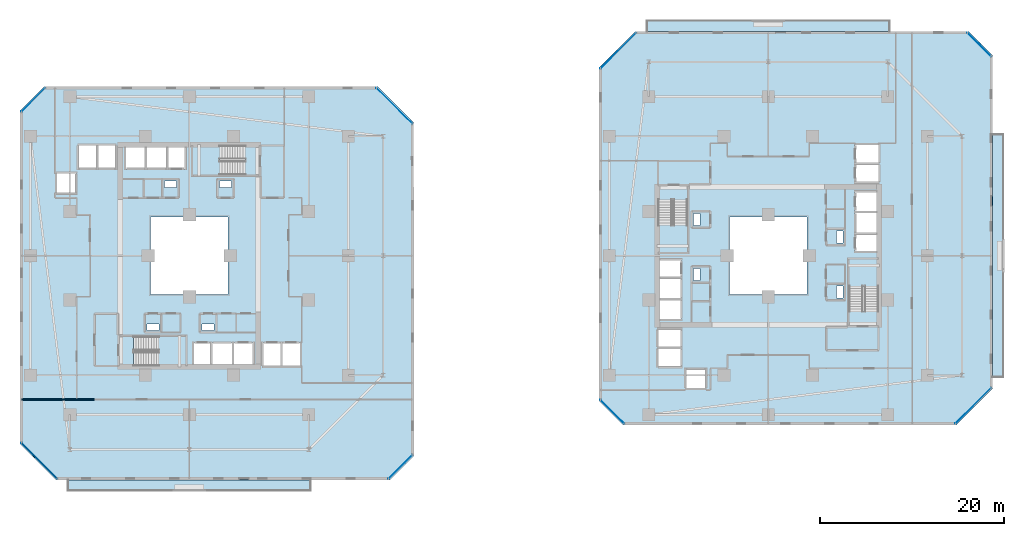
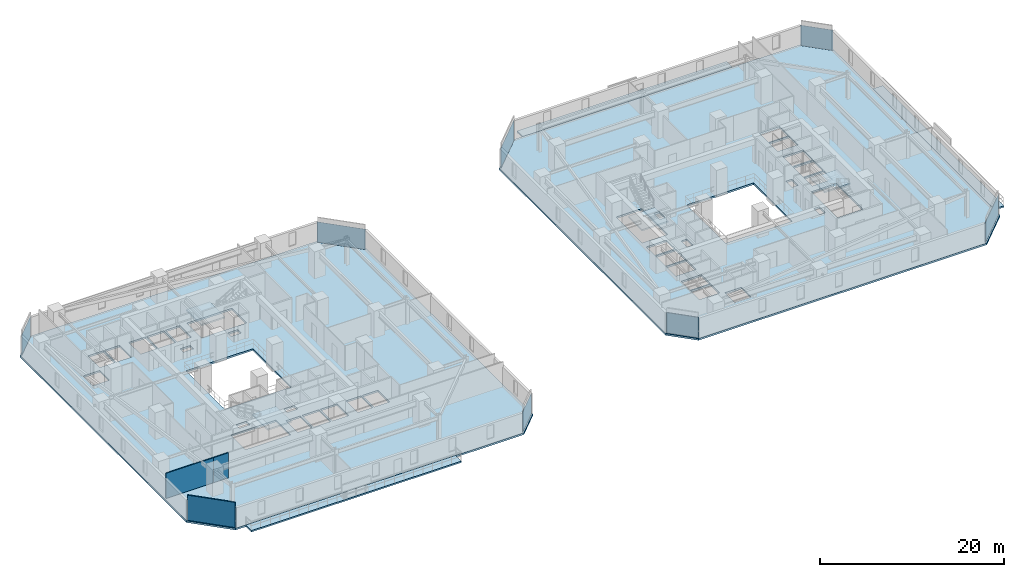
# One storey, part 19 of 34: 9 slabs, 8 plates, 3 walls, 12 elements without a shape of their own.
"""IFC4 building model written with IfcOpenShell, lengths in metres."""

from ifc_helpers import new_model, si_unit, direction, frame, frame_2d, origin, origin_2d, place, context, subcontext, project, spatial, polyline, rectangle, outline, extrude, material, layer, layer_set, type_object, element, aggregate, save


model = new_model("IFC4")

# Units and contexts
model_context = context("Model", 3, precision=1e-05, world=origin(), true_north=direction((0.0, 1.0)))
body_context = subcontext(model_context, "Body", "Model", "MODEL_VIEW")
ifc_project = project(units=[si_unit("LENGTHUNIT", "METRE"), si_unit("AREAUNIT", "SQUARE_METRE"), si_unit("VOLUMEUNIT", "CUBIC_METRE"), si_unit("PLANEANGLEUNIT", "RADIAN"), si_unit("MASSUNIT", "GRAM", prefix="KILO")], contexts=[model_context])

# Site, building, storey
site_placement = place(None, origin())
site = spatial("IfcSite", under=ifc_project, at=site_placement, CompositionType="ELEMENT")
building_placement = place(site_placement, origin())
building = spatial("IfcBuilding", under=site, at=building_placement, Name="Thornwick Lancets Civic Towers", CompositionType="ELEMENT")
storey_placement = place(building_placement, frame((0.0, 0.0, 53.699951171875)))
storey = spatial("IfcBuildingStorey", under=building, at=storey_placement, Name="L13", CompositionType="ELEMENT", Elevation=53.699951171875)

# Curtain wall, plate
ifc_material_1 = material(Name="Low-zone chamfered-corner unitised glass curtain wall", Category="glass")
curtain_wall_type = type_object("IfcCurtainWallType", Name="CW_SYS_03", PredefinedType="NOTDEFINED", material=ifc_material_1)
curtain_wall_1_placement = place(storey_placement, origin())
curtain_wall_1 = element("IfcCurtainWall", 1, at=curtain_wall_1_placement, inside=storey, type_object=curtain_wall_type, Name="L13 Curtain Wall CW-L13-A-E1", PredefinedType="NOTDEFINED")
ifc_material_2 = material(Name="Low-e double glazing clear glass", Category="glass")
ifc_layer_1 = layer(ifc_material_2, 0.035888671875, Name="Low-e double glazing clear glass")
ifc_layer_set_1 = layer_set([ifc_layer_1], Name="Low-e double glazing clear glass")
plate_type = type_object("IfcPlateType", Name="CW_PNL_GLASS", PredefinedType="CURTAIN_PANEL", material=ifc_layer_set_1)
plate_1_placement = place(storey_placement, frame((48.472900390625, 4.027099609375, 0.0), z_axis=(0.0, 0.0, 1.0), x_axis=(0.707106781187, 0.707106781187, 0.0)))
plate_1 = element("IfcPlate", 2, at=plate_1_placement, type_object=plate_type, Name="CW-L13-A-E1 Panel 0", PredefinedType="CURTAIN_PANEL", context=body_context, shape_type="SweptSolid", body=[
    extrude(rectangle(XDim=3.64990234375, YDim=0.035888671875, at=origin_2d()), origin(), (0.0, 0.0, 1.0), 2.699951171875),
])
aggregate(curtain_wall_1, [plate_1])

curtain_wall_2_placement = place(storey_placement, origin())
curtain_wall_2 = element("IfcCurtainWall", 3, at=curtain_wall_2_placement, inside=storey, type_object=curtain_wall_type, Name="L13 Curtain Wall CW-L13-A-E3", PredefinedType="NOTDEFINED")
plate_2_placement = place(storey_placement, frame((47.81884765625, 43.31884765625, 0.0), z_axis=(0.0, 0.0, 1.0), x_axis=(-0.707106781187, 0.707106781187, 0.0)))
plate_2 = element("IfcPlate", 4, at=plate_2_placement, type_object=plate_type, Name="CW-L13-A-E3 Panel 0", PredefinedType="CURTAIN_PANEL", context=body_context, shape_type="SweptSolid", body=[
    extrude(rectangle(XDim=5.488037109375, YDim=0.035888671875, at=origin_2d()), origin(), (0.0, 0.0, 1.0), 2.699951171875),
])
aggregate(curtain_wall_2, [plate_2])

curtain_wall_3_placement = place(storey_placement, origin())
curtain_wall_3 = element("IfcCurtainWall", 5, at=curtain_wall_3_placement, inside=storey, type_object=curtain_wall_type, Name="L13 Curtain Wall CW-L13-A-E5", PredefinedType="NOTDEFINED")
plate_3_placement = place(storey_placement, frame((8.527099609375, 43.972900390625, 0.0), z_axis=(0.0, 0.0, 1.0), x_axis=(-0.707106781187, -0.707106781187, 0.0)))
plate_3 = element("IfcPlate", 6, at=plate_3_placement, type_object=plate_type, Name="CW-L13-A-E5 Panel 0", PredefinedType="CURTAIN_PANEL", context=body_context, shape_type="SweptSolid", body=[
    extrude(rectangle(XDim=3.64990234375, YDim=0.035888671875, at=origin_2d()), origin(), (0.0, 0.0, 1.0), 2.699951171875),
])
aggregate(curtain_wall_3, [plate_3])

curtain_wall_4_placement = place(storey_placement, origin())
curtain_wall_4 = element("IfcCurtainWall", 7, at=curtain_wall_4_placement, inside=storey, type_object=curtain_wall_type, Name="L13 Curtain Wall CW-L13-A-E7", PredefinedType="NOTDEFINED")
plate_4_placement = place(storey_placement, frame((9.18115234375, 4.68115234375, 0.0), z_axis=(0.0, 0.0, 1.0), x_axis=(0.707106781187, -0.707106781187, 0.0)))
plate_4 = element("IfcPlate", 8, at=plate_4_placement, type_object=plate_type, Name="CW-L13-A-E7 Panel 0", PredefinedType="CURTAIN_PANEL", context=body_context, shape_type="SweptSolid", body=[
    extrude(rectangle(XDim=5.488037109375, YDim=0.035888671875, at=origin_2d()), origin(), (0.0, 0.0, 1.0), 2.699951171875),
])
aggregate(curtain_wall_4, [plate_4])

curtain_wall_5_placement = place(storey_placement, origin())
curtain_wall_5 = element("IfcCurtainWall", 9, at=curtain_wall_5_placement, inside=storey, type_object=curtain_wall_type, Name="L13 Curtain Wall CW-L13-B-E1", PredefinedType="NOTDEFINED")
plate_5_placement = place(storey_placement, frame((110.81884765625, 10.68115234375, 0.0), z_axis=(0.0, 0.0, 1.0), x_axis=(0.707106781187, 0.707106781187, 0.0)))
plate_5 = element("IfcPlate", 10, at=plate_5_placement, type_object=plate_type, Name="CW-L13-B-E1 Panel 0", PredefinedType="CURTAIN_PANEL", context=body_context, shape_type="SweptSolid", body=[
    extrude(rectangle(XDim=5.488037109375, YDim=0.035888671875, at=origin_2d()), origin(), (0.0, 0.0, 1.0), 2.699951171875),
])
aggregate(curtain_wall_5, [plate_5])

curtain_wall_6_placement = place(storey_placement, origin())
curtain_wall_6 = element("IfcCurtainWall", 11, at=curtain_wall_6_placement, inside=storey, type_object=curtain_wall_type, Name="L13 Curtain Wall CW-L13-B-E3", PredefinedType="NOTDEFINED")
plate_6_placement = place(storey_placement, frame((111.472900390625, 49.972900390625, 0.0), z_axis=(0.0, 0.0, 1.0), x_axis=(-0.707106781187, 0.707106781187, 0.0)))
plate_6 = element("IfcPlate", 12, at=plate_6_placement, type_object=plate_type, Name="CW-L13-B-E3 Panel 0", PredefinedType="CURTAIN_PANEL", context=body_context, shape_type="SweptSolid", body=[
    extrude(rectangle(XDim=3.64990234375, YDim=0.035888671875, at=origin_2d()), origin(), (0.0, 0.0, 1.0), 2.699951171875),
])
aggregate(curtain_wall_6, [plate_6])

curtain_wall_7_placement = place(storey_placement, origin())
curtain_wall_7 = element("IfcCurtainWall", 13, at=curtain_wall_7_placement, inside=storey, type_object=curtain_wall_type, Name="L13 Curtain Wall CW-L13-B-E5", PredefinedType="NOTDEFINED")
plate_7_placement = place(storey_placement, frame((72.18115234375, 49.31884765625, 0.0), z_axis=(0.0, 0.0, 1.0), x_axis=(-0.707106781187, -0.707106781187, 0.0)))
plate_7 = element("IfcPlate", 14, at=plate_7_placement, type_object=plate_type, Name="CW-L13-B-E5 Panel 0", PredefinedType="CURTAIN_PANEL", context=body_context, shape_type="SweptSolid", body=[
    extrude(rectangle(XDim=5.488037109375, YDim=0.035888671875, at=origin_2d()), origin(), (0.0, 0.0, 1.0), 2.699951171875),
])
aggregate(curtain_wall_7, [plate_7])

curtain_wall_8_placement = place(storey_placement, origin())
curtain_wall_8 = element("IfcCurtainWall", 15, at=curtain_wall_8_placement, inside=storey, type_object=curtain_wall_type, Name="L13 Curtain Wall CW-L13-B-E7", PredefinedType="NOTDEFINED")
plate_8_placement = place(storey_placement, frame((71.527099609375, 10.027099609375, 0.0), z_axis=(0.0, 0.0, 1.0), x_axis=(0.707106781187, -0.707106781187, 0.0)))
plate_8 = element("IfcPlate", 16, at=plate_8_placement, type_object=plate_type, Name="CW-L13-B-E7 Panel 0", PredefinedType="CURTAIN_PANEL", context=body_context, shape_type="SweptSolid", body=[
    extrude(rectangle(XDim=3.64990234375, YDim=0.035888671875, at=origin_2d()), origin(), (0.0, 0.0, 1.0), 2.699951171875),
])
aggregate(curtain_wall_8, [plate_8])

# Slabs
ifc_material_3 = material(Name="Post-tensioned concrete C40/50", Category="concrete")
ifc_layer_2 = layer(ifc_material_3, 0.199951171875, Name="Post-tensioned concrete C40/50")
ifc_layer_set_2 = layer_set([ifc_layer_2], Name="Post-tensioned concrete C40/50")
slab_type_1 = type_object("IfcSlabType", Name="SLAB_BALCONY_200", PredefinedType="FLOOR", material=ifc_layer_set_2)
slab_1_placement = place(storey_placement, frame((0.0, 0.0, -0.199951171875)))
element("IfcSlab", 17, at=slab_1_placement, inside=storey, type_object=slab_type_1, Name="L13 Tower A Planted Balcony Slab S", PredefinedType="FLOOR", context=body_context, shape_type="SweptSolid", body=[
    extrude(outline(polyline([(12.300048828125, 1.35009765625), (38.699951171875, 1.35009765625), (38.699951171875, 2.60009765625), (12.300048828125, 2.60009765625), (12.300048828125, 1.35009765625)])), origin(), (0.0, 0.0, 1.0), 0.199951171875),
])
slab_2_placement = place(storey_placement, frame((0.0, 0.0, -0.199951171875)))
element("IfcSlab", 18, at=slab_2_placement, inside=storey, type_object=slab_type_1, Name="L13 Tower B Planted Balcony Slab E", PredefinedType="FLOOR", context=body_context, shape_type="SweptSolid", body=[
    extrude(outline(polyline([(112.89990234375, 13.800048828125), (114.14990234375, 13.800048828125), (114.14990234375, 40.199951171875), (112.89990234375, 40.199951171875), (112.89990234375, 13.800048828125)])), origin(), (0.0, 0.0, 1.0), 0.199951171875),
])
slab_3_placement = place(storey_placement, frame((0.0, 0.0, -0.199951171875)))
element("IfcSlab", 19, at=slab_3_placement, inside=storey, type_object=slab_type_1, Name="L13 Tower B Planted Balcony Slab N", PredefinedType="FLOOR", context=body_context, shape_type="SweptSolid", body=[
    extrude(outline(polyline([(75.300048828125, 51.39990234375), (101.699951171875, 51.39990234375), (101.699951171875, 52.64990234375), (75.300048828125, 52.64990234375), (75.300048828125, 51.39990234375)])), origin(), (0.0, 0.0, 1.0), 0.199951171875),
])

# Stair, slab
ifc_material_4 = material(Name="Concrete C40/50", Category="concrete")
stair_type = type_object("IfcStairType", Name="STAIR_DL_3600", PredefinedType="HALF_TURN_STAIR", material=ifc_material_4)
stair_1_placement = place(storey_placement, origin())
stair_1 = element("IfcStair", 20, at=stair_1_placement, inside=storey, type_object=stair_type, Name="L13 Tower A South Exit Stair ST-A1", PredefinedType="HALF_TURN_STAIR")
ifc_layer_3 = layer(ifc_material_4, 0.25, Name="Concrete C40/50")
ifc_layer_set_3 = layer_set([ifc_layer_3], Name="Concrete C40/50")
slab_type_2 = type_object("IfcSlabType", Name="SLAB_LANDING_200", PredefinedType="LANDING", material=ifc_layer_set_3)
slab_4_placement = place(storey_placement, frame((0.0, 0.0, 1.60302734375)))
slab_4 = element("IfcSlab", 21, at=slab_4_placement, type_object=slab_type_2, Name="ST-A1 landing 1", PredefinedType="LANDING", context=body_context, shape_type="SweptSolid", body=[
    extrude(outline(polyline([(22.169921875, 14.93994140625), (25.14990234375, 14.93994140625), (25.14990234375, 18.260009765625), (22.169921875, 18.260009765625), (22.169921875, 14.93994140625)])), origin(), (0.0, 0.0, 1.0), 0.199951171875),
])
aggregate(stair_1, [slab_4])

stair_2_placement = place(storey_placement, origin())
stair_2 = element("IfcStair", 22, at=stair_2_placement, inside=storey, type_object=stair_type, Name="L13 Tower A North Exit Stair ST-A2", PredefinedType="HALF_TURN_STAIR")
slab_5_placement = place(storey_placement, frame((0.0, 0.0, 1.60302734375)))
slab_5 = element("IfcSlab", 23, at=slab_5_placement, type_object=slab_type_2, Name="ST-A2 landing 1", PredefinedType="LANDING", context=body_context, shape_type="SweptSolid", body=[
    extrude(outline(polyline([(28.830078125, 39.06005859375), (25.85009765625, 39.06005859375), (25.85009765625, 35.739990234375), (28.830078125, 35.739990234375), (28.830078125, 39.06005859375)])), origin(), (0.0, 0.0, 1.0), 0.199951171875),
])
aggregate(stair_2, [slab_5])

stair_3_placement = place(storey_placement, origin())
stair_3 = element("IfcStair", 24, at=stair_3_placement, inside=storey, type_object=stair_type, Name="L13 Tower B East Exit Stair ST-B1", PredefinedType="HALF_TURN_STAIR")
slab_6_placement = place(storey_placement, frame((0.0, 0.0, 1.60302734375)))
slab_6 = element("IfcSlab", 25, at=slab_6_placement, type_object=slab_type_2, Name="ST-B1 landing 1", PredefinedType="LANDING", context=body_context, shape_type="SweptSolid", body=[
    extrude(outline(polyline([(100.56005859375, 23.669921875), (100.56005859375, 26.64990234375), (97.239990234375, 26.64990234375), (97.239990234375, 23.669921875), (100.56005859375, 23.669921875)])), origin(), (0.0, 0.0, 1.0), 0.199951171875),
])
aggregate(stair_3, [slab_6])

stair_4_placement = place(storey_placement, origin())
stair_4 = element("IfcStair", 26, at=stair_4_placement, inside=storey, type_object=stair_type, Name="L13 Tower B West Exit Stair ST-B2", PredefinedType="HALF_TURN_STAIR")
slab_7_placement = place(storey_placement, frame((0.0, 0.0, 1.60302734375)))
slab_7 = element("IfcSlab", 27, at=slab_7_placement, type_object=slab_type_2, Name="ST-B2 landing 1", PredefinedType="LANDING", context=body_context, shape_type="SweptSolid", body=[
    extrude(outline(polyline([(76.43994140625, 30.330078125), (76.43994140625, 27.35009765625), (79.760009765625, 27.35009765625), (79.760009765625, 30.330078125), (76.43994140625, 30.330078125)])), origin(), (0.0, 0.0, 1.0), 0.199951171875),
])
aggregate(stair_4, [slab_7])

# Slabs
ifc_layer_4 = layer(ifc_material_3, 0.239990234375, Name="Post-tensioned concrete C40/50")
ifc_layer_set_4 = layer_set([ifc_layer_4], Name="Post-tensioned concrete C40/50")
slab_type_3 = type_object("IfcSlabType", Name="SLAB_PT_240", PredefinedType="FLOOR", material=ifc_layer_set_4)
slab_8_placement = place(storey_placement, frame((0.0, 0.0, -0.239990234375)))
element("IfcSlab", 28, at=slab_8_placement, inside=storey, type_object=slab_type_3, Name="L13 Tower A Floor Slab", PredefinedType="FLOOR", context=body_context, shape_type="SweptSolid", body=[
    extrude(outline(polyline([(11.009033203125, 2.60009765625), (47.300048828125, 2.60009765625), (49.89990234375, 5.199951171875), (49.89990234375, 41.490966796875), (45.990966796875, 45.39990234375), (9.699951171875, 45.39990234375), (7.10009765625, 42.800048828125), (7.10009765625, 6.509033203125), (11.009033203125, 2.60009765625)]), holes=[polyline([(21.300048828125, 22.800048828125), (29.699951171875, 22.800048828125), (29.699951171875, 31.199951171875), (21.300048828125, 31.199951171875), (21.300048828125, 22.800048828125)]), polyline([(19.429931640625, 15.0), (25.10009765625, 15.0), (25.10009765625, 18.199951171875), (19.429931640625, 18.199951171875), (19.429931640625, 15.0)]), polyline([(31.570068359375, 39.0), (25.89990234375, 39.0), (25.89990234375, 35.800048828125), (31.570068359375, 35.800048828125), (31.570068359375, 39.0)]), polyline([(26.0, 15.0), (27.800048828125, 15.0), (27.800048828125, 17.550048828125), (26.0, 17.550048828125), (26.0, 15.0)]), polyline([(28.0, 15.0), (30.14990234375, 15.0), (30.14990234375, 17.550048828125), (28.0, 17.550048828125), (28.0, 15.0)]), polyline([(30.35009765625, 15.0), (32.39990234375, 15.0), (32.39990234375, 17.550048828125), (30.35009765625, 17.550048828125), (30.35009765625, 15.0)]), polyline([(33.550048828125, 15.0), (35.449951171875, 15.0), (35.449951171875, 17.550048828125), (33.550048828125, 17.550048828125), (33.550048828125, 15.0)]), polyline([(35.60009765625, 15.0), (37.550048828125, 15.0), (37.550048828125, 17.550048828125), (35.60009765625, 17.550048828125), (35.60009765625, 15.0)]), polyline([(23.199951171875, 36.449951171875), (25.0, 36.449951171875), (25.0, 39.0), (23.199951171875, 39.0), (23.199951171875, 36.449951171875)]), polyline([(20.85009765625, 36.449951171875), (23.0, 36.449951171875), (23.0, 39.0), (20.85009765625, 39.0), (20.85009765625, 36.449951171875)]), polyline([(18.60009765625, 36.449951171875), (20.699951171875, 36.449951171875), (20.699951171875, 39.0), (18.60009765625, 39.0), (18.60009765625, 36.449951171875)]), polyline([(15.550048828125, 36.449951171875), (17.449951171875, 36.449951171875), (17.449951171875, 39.0), (15.550048828125, 39.0), (15.550048828125, 36.449951171875)]), polyline([(13.449951171875, 36.449951171875), (15.39990234375, 36.449951171875), (15.39990234375, 39.0), (13.449951171875, 39.0), (13.449951171875, 36.449951171875)]), polyline([(11.10009765625, 33.85009765625), (13.199951171875, 33.85009765625), (13.199951171875, 35.949951171875), (11.10009765625, 35.949951171875), (11.10009765625, 33.85009765625)]), polyline([(26.89990234375, 18.85009765625), (28.199951171875, 18.85009765625), (28.199951171875, 19.580078125), (26.89990234375, 19.580078125), (26.89990234375, 18.85009765625)]), polyline([(20.89990234375, 18.85009765625), (22.199951171875, 18.85009765625), (22.199951171875, 19.580078125), (20.89990234375, 19.580078125), (20.89990234375, 18.85009765625)]), polyline([(22.800048828125, 34.419921875), (24.10009765625, 34.419921875), (24.10009765625, 35.14990234375), (22.800048828125, 35.14990234375), (22.800048828125, 34.419921875)]), polyline([(28.800048828125, 34.419921875), (30.10009765625, 34.419921875), (30.10009765625, 35.14990234375), (28.800048828125, 35.14990234375), (28.800048828125, 34.419921875)])]), origin(), (0.0, 0.0, 1.0), 0.239990234375),
])
slab_9_placement = place(storey_placement, frame((0.0, 0.0, -0.239990234375)))
element("IfcSlab", 29, at=slab_9_placement, inside=storey, type_object=slab_type_3, Name="L13 Tower B Floor Slab", PredefinedType="FLOOR", context=body_context, shape_type="SweptSolid", body=[
    extrude(outline(polyline([(72.699951171875, 8.60009765625), (108.990966796875, 8.60009765625), (112.89990234375, 12.509033203125), (112.89990234375, 48.800048828125), (110.300048828125, 51.39990234375), (74.009033203125, 51.39990234375), (70.10009765625, 47.490966796875), (70.10009765625, 11.199951171875), (72.699951171875, 8.60009765625)]), holes=[polyline([(84.300048828125, 22.800048828125), (92.699951171875, 22.800048828125), (92.699951171875, 31.199951171875), (84.300048828125, 31.199951171875), (84.300048828125, 22.800048828125)]), polyline([(100.5, 20.929931640625), (100.5, 26.60009765625), (97.300048828125, 26.60009765625), (97.300048828125, 20.929931640625), (100.5, 20.929931640625)]), polyline([(76.5, 33.070068359375), (76.5, 27.39990234375), (79.699951171875, 27.39990234375), (79.699951171875, 33.070068359375), (76.5, 33.070068359375)]), polyline([(97.949951171875, 27.5), (100.5, 27.5), (100.5, 29.300048828125), (97.949951171875, 29.300048828125), (97.949951171875, 27.5)]), polyline([(97.949951171875, 29.5), (100.5, 29.5), (100.5, 31.64990234375), (97.949951171875, 31.64990234375), (97.949951171875, 29.5)]), polyline([(97.949951171875, 31.85009765625), (100.5, 31.85009765625), (100.5, 33.89990234375), (97.949951171875, 33.89990234375), (97.949951171875, 31.85009765625)]), polyline([(97.949951171875, 35.050048828125), (100.5, 35.050048828125), (100.5, 36.949951171875), (97.949951171875, 36.949951171875), (97.949951171875, 35.050048828125)]), polyline([(97.949951171875, 37.10009765625), (100.5, 37.10009765625), (100.5, 39.050048828125), (97.949951171875, 39.050048828125), (97.949951171875, 37.10009765625)]), polyline([(76.5, 24.699951171875), (79.050048828125, 24.699951171875), (79.050048828125, 26.5), (76.5, 26.5), (76.5, 24.699951171875)]), polyline([(76.5, 22.35009765625), (79.050048828125, 22.35009765625), (79.050048828125, 24.5), (76.5, 24.5), (76.5, 22.35009765625)]), polyline([(76.5, 20.10009765625), (79.050048828125, 20.10009765625), (79.050048828125, 22.199951171875), (76.5, 22.199951171875), (76.5, 20.10009765625)]), polyline([(76.5, 17.050048828125), (79.050048828125, 17.050048828125), (79.050048828125, 18.949951171875), (76.5, 18.949951171875), (76.5, 17.050048828125)]), polyline([(76.5, 14.949951171875), (79.050048828125, 14.949951171875), (79.050048828125, 16.89990234375), (76.5, 16.89990234375), (76.5, 14.949951171875)]), polyline([(79.550048828125, 12.60009765625), (81.64990234375, 12.60009765625), (81.64990234375, 14.699951171875), (79.550048828125, 14.699951171875), (79.550048828125, 12.60009765625)]), polyline([(95.919921875, 28.39990234375), (96.64990234375, 28.39990234375), (96.64990234375, 29.699951171875), (95.919921875, 29.699951171875), (95.919921875, 28.39990234375)]), polyline([(95.919921875, 22.39990234375), (96.64990234375, 22.39990234375), (96.64990234375, 23.699951171875), (95.919921875, 23.699951171875), (95.919921875, 22.39990234375)]), polyline([(80.35009765625, 24.300048828125), (81.080078125, 24.300048828125), (81.080078125, 25.60009765625), (80.35009765625, 25.60009765625), (80.35009765625, 24.300048828125)]), polyline([(80.35009765625, 30.300048828125), (81.080078125, 30.300048828125), (81.080078125, 31.60009765625), (80.35009765625, 31.60009765625), (80.35009765625, 30.300048828125)])]), origin(), (0.0, 0.0, 1.0), 0.239990234375),
])

# Walls
ifc_material_5 = material(Name="Acoustic gypsum board partition")
ifc_layer_5 = layer(ifc_material_5, 0.1201171875, Name="Acoustic gypsum board partition")
ifc_layer_set_5 = layer_set([ifc_layer_5], Name="Acoustic gypsum board partition")
wall_type = type_object("IfcWallType", Name="WALL_PART_120", PredefinedType="PARTITIONING", material=ifc_layer_set_5)
wall_1_placement = place(storey_placement, frame((13.25, 11.35009765625, 0.0), z_axis=(0.0, 0.0, 1.0), x_axis=(-1.0, 0.0, 0.0)))
element("IfcWall", 30, at=wall_1_placement, inside=storey, type_object=wall_type, Name="L13 Partition L13-A-W1 E5", PredefinedType="PARTITIONING", context=body_context, shape_type="SweptSolid", body=[
    extrude(rectangle(XDim=5.969970703125, YDim=0.1201171875, at=frame_2d((2.98486328125, 0.0))), origin(), (0.0, 0.0, 1.0), 3.340087890625),
])
wall_2_placement = place(storey_placement, frame((13.25, 11.35009765625, 0.0), z_axis=(0.0, 0.0, 1.0), x_axis=(1.0, 0.0, 0.0)))
element("IfcWall", 31, at=wall_2_placement, inside=storey, type_object=wall_type, Name="L13 Partition L13-A-S-OFF E1", PredefinedType="PARTITIONING", context=body_context, shape_type="SweptSolid", body=[
    extrude(rectangle(XDim=1.89990234375, YDim=0.1201171875, at=frame_2d((0.949951171875, 0.0))), origin(), (0.0, 0.0, 1.0), 3.340087890625),
])
wall_3_placement = place(storey_placement, frame((11.08349609375, 2.780029296875, 0.0), z_axis=(0.0, 0.0, 1.0), x_axis=(-0.707106781187, 0.707106781187, 0.0)))
element("IfcWall", 32, at=wall_3_placement, inside=storey, type_object=wall_type, Name="L13 Partition L13-A-S-OFF E5", PredefinedType="PARTITIONING", context=body_context, shape_type="SweptSolid", body=[
    extrude(rectangle(XDim=5.37890625, YDim=0.1201171875, at=frame_2d((2.689453125, 0.0))), origin(), (0.0, 0.0, 1.0), 3.340087890625),
])

save(model, "model.ifc")
